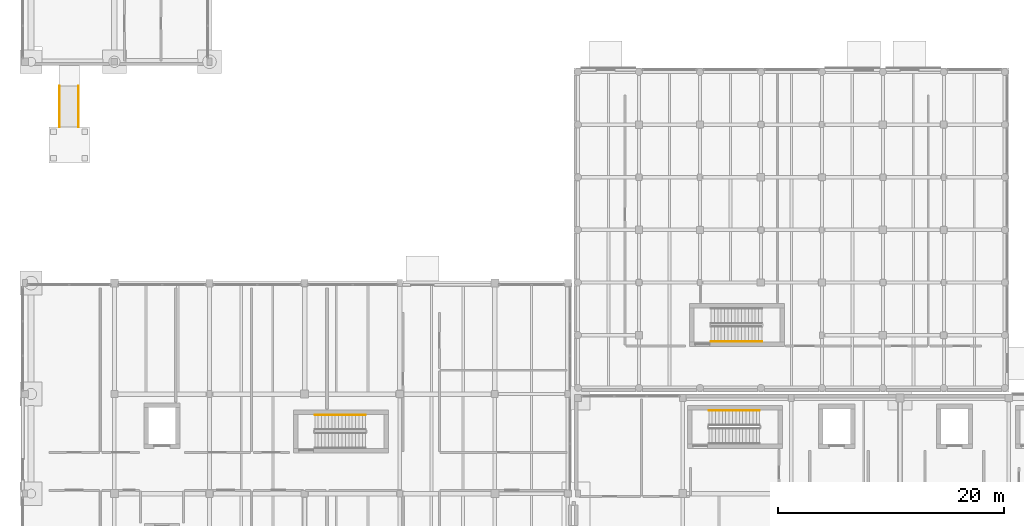
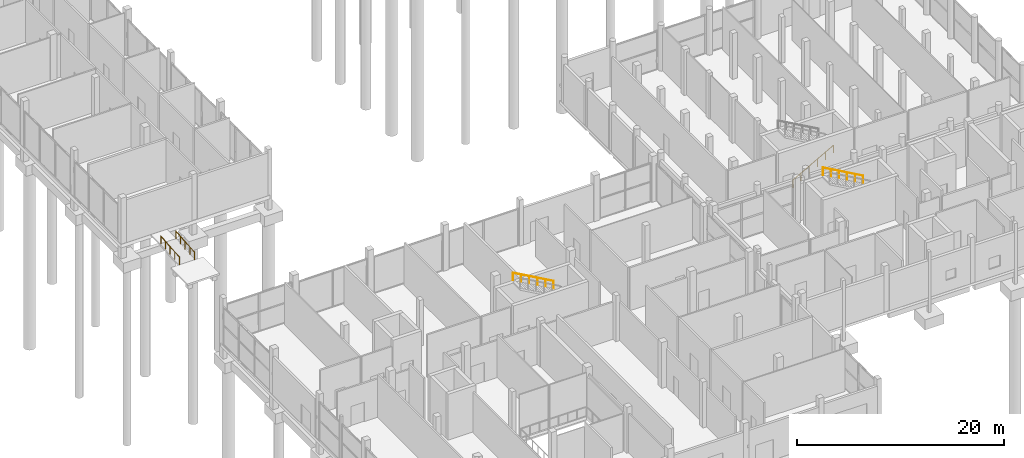
# One storey, part 77 of 88: 5 railings.
"""IFC4 building model written with IfcOpenShell, lengths in metres."""

from ifc_helpers import new_model, si_unit, direction, frame, origin, origin_2d, place, context, subcontext, project, spatial, circle, extrude, material, type_object, element, save


model = new_model("IFC4")

# Units and contexts
model_context = context("Model", 3, precision=1e-05, world=origin(), true_north=direction((0.0, 1.0)))
body_context = subcontext(model_context, "Body", "Model", "MODEL_VIEW")
ifc_project = project(units=[si_unit("LENGTHUNIT", "METRE"), si_unit("AREAUNIT", "SQUARE_METRE"), si_unit("VOLUMEUNIT", "CUBIC_METRE"), si_unit("PLANEANGLEUNIT", "RADIAN"), si_unit("MASSUNIT", "GRAM", prefix="KILO")], contexts=[model_context])

# Site, building, storey
site_placement = place(None, origin())
site = spatial("IfcSite", under=ifc_project, at=site_placement, CompositionType="ELEMENT")
building_placement = place(site_placement, origin())
building = spatial("IfcBuilding", under=site, at=building_placement, Name="Birchvale Park Specialist Clinic", CompositionType="ELEMENT")
storey_placement = place(building_placement, origin())
storey = spatial("IfcBuildingStorey", under=building, at=storey_placement, Name="L00", CompositionType="ELEMENT", Elevation=0.0)

# Railings
ifc_material = material(Name="Anodised aluminium handrail", Category="aluminium")
railing_type = type_object("IfcRailingType", Name="RL-HND1", PredefinedType="HANDRAIL", material=ifc_material)
for number, where, name in (
    (1, (8.0400390625, 58.199951171875, -0.300048828125), "Accessible ramp handrail AR-2 L"),
    (2, (6.360107421875, 58.199951171875, -0.300048828125), "Accessible ramp handrail AR-2 R"),
):
    element("IfcRailing", number, at=place(storey_placement, frame(where)), inside=storey, type_object=railing_type, Name=name, PredefinedType="HANDRAIL", context=body_context, shape_type="SweptSolid", body=[
        extrude(circle(Radius=0.02392578125, at=origin_2d()), frame((0.0, 0.0, 0.89599609375), z_axis=(0.0, 0.996544826035, 0.083056665618), x_axis=(-1.0, 0.0, 0.0)), (0.0, 0.0, 1.0), 3.612548828125),
        extrude(circle(Radius=0.02099609375, at=origin_2d()), origin(), (0.0, 0.0, 1.0), 0.871826171875),
        extrude(circle(Radius=0.02099609375, at=origin_2d()), frame((0.0, 0.89990234375, 0.074951171875)), (0.0, 0.0, 1.0), 0.871826171875),
        extrude(circle(Radius=0.02099609375, at=origin_2d()), frame((0.0, 1.800048828125, 0.14990234375)), (0.0, 0.0, 1.0), 0.871826171875),
        extrude(circle(Radius=0.02099609375, at=origin_2d()), frame((0.0, 2.7001953125, 0.22509765625)), (0.0, 0.0, 1.0), 0.871826171875),
        extrude(circle(Radius=0.02099609375, at=origin_2d()), frame((0.0, 3.60009765625, 0.300048828125)), (0.0, 0.0, 1.0), 0.871826171875),
    ])
railing_placement = place(storey_placement, frame((63.89990234375, 39.25, 0.168701171875)))
element("IfcRailing", 3, at=railing_placement, inside=storey, type_object=railing_type, Name="L00 ST1 stair handrail 1", PredefinedType="HANDRAIL", context=body_context, shape_type="SweptSolid", body=[
    extrude(circle(Radius=0.02392578125, at=origin_2d()), frame((0.0, 0.0, 0.8759765625), z_axis=(0.871575537125, 0.0, 0.490261239633), x_axis=(0.0, 1.0, 0.0)), (0.0, 0.0, 1.0), 5.1630859375),
    extrude(circle(Radius=0.02099609375, at=origin_2d()), origin(), (0.0, 0.0, 1.0), 0.851806640625),
    extrude(circle(Radius=0.02099609375, at=origin_2d()), frame((0.89990234375, 0.0, 0.50634765625)), (0.0, 0.0, 1.0), 0.851806640625),
    extrude(circle(Radius=0.02099609375, at=origin_2d()), frame((1.800048828125, 0.0, 1.012451171875)), (0.0, 0.0, 1.0), 0.851806640625),
    extrude(circle(Radius=0.02099609375, at=origin_2d()), frame((2.699951171875, 0.0, 1.518798828125)), (0.0, 0.0, 1.0), 0.851806640625),
    extrude(circle(Radius=0.02099609375, at=origin_2d()), frame((3.60009765625, 0.0, 2.02490234375)), (0.0, 0.0, 1.0), 0.851806640625),
    extrude(circle(Radius=0.02099609375, at=origin_2d()), frame((4.5, 0.0, 2.53125)), (0.0, 0.0, 1.0), 0.851806640625),
])
for number, where, name in (
    (4, (33.39990234375, 32.75, 2.86865234375), "L00 ST2 stair handrail 2"),
    (5, (68.199951171875, 33.14990234375, 2.86865234375), "L00 ST4 stair handrail 2"),
):
    element("IfcRailing", number, at=place(storey_placement, frame(where)), inside=storey, type_object=railing_type, Name=name, PredefinedType="HANDRAIL", context=body_context, shape_type="SweptSolid", body=[
        extrude(circle(Radius=0.02392578125, at=origin_2d()), frame((0.0, 0.0, 0.8759765625), z_axis=(-0.871575537125, 0.0, 0.490261239633), x_axis=(0.0, -1.0, 0.0)), (0.0, 0.0, 1.0), 5.1630859375),
        extrude(circle(Radius=0.02099609375, at=origin_2d()), origin(), (0.0, 0.0, 1.0), 0.851806640625),
        extrude(circle(Radius=0.02099609375, at=origin_2d()), frame((-0.89990234375, 0.0, 0.50634765625)), (0.0, 0.0, 1.0), 0.851806640625),
        extrude(circle(Radius=0.02099609375, at=origin_2d()), frame((-1.800048828125, 0.0, 1.012451171875)), (0.0, 0.0, 1.0), 0.851806640625),
        extrude(circle(Radius=0.02099609375, at=origin_2d()), frame((-2.699951171875, 0.0, 1.518798828125)), (0.0, 0.0, 1.0), 0.851806640625),
        extrude(circle(Radius=0.02099609375, at=origin_2d()), frame((-3.60009765625, 0.0, 2.02490234375)), (0.0, 0.0, 1.0), 0.851806640625),
        extrude(circle(Radius=0.02099609375, at=origin_2d()), frame((-4.5, 0.0, 2.53125)), (0.0, 0.0, 1.0), 0.851806640625),
    ])

save(model, "model.ifc")
